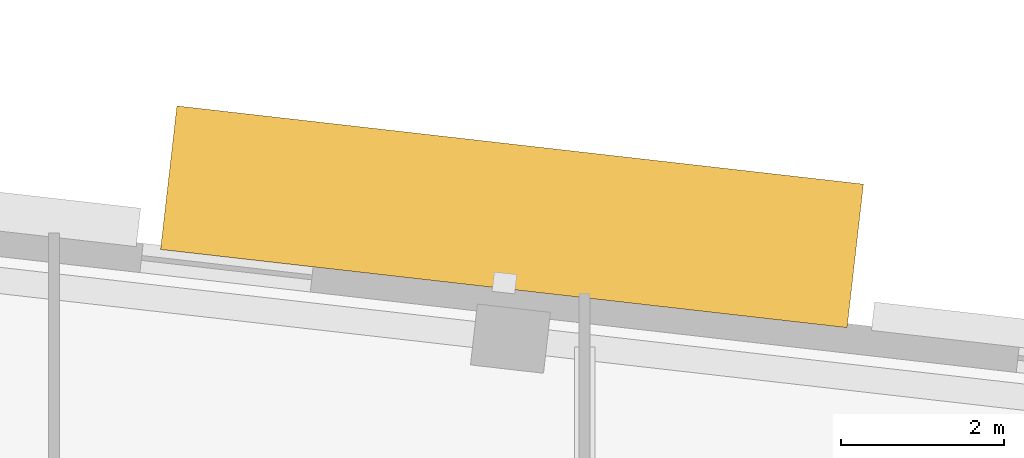
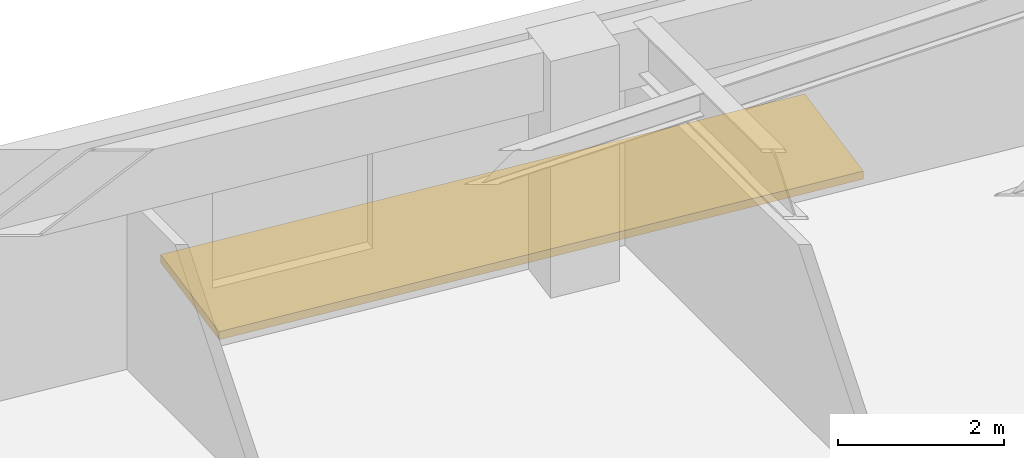
# One storey, part 14 of 14: 1 shading device.
"""IFC4 building model written with IfcOpenShell, lengths in metres."""

from ifc_helpers import new_model, si_unit, direction, frame, origin, origin_2d, place, context, subcontext, project, spatial, rectangle, extrude, material, type_object, element, save


model = new_model("IFC4")

# Units and contexts
model_context = context("Model", 3, precision=1e-05, world=origin(), true_north=direction((0.0, 1.0)))
body_context = subcontext(model_context, "Body", "Model", "MODEL_VIEW")
ifc_project = project(units=[si_unit("LENGTHUNIT", "METRE"), si_unit("AREAUNIT", "SQUARE_METRE"), si_unit("VOLUMEUNIT", "CUBIC_METRE"), si_unit("PLANEANGLEUNIT", "RADIAN"), si_unit("MASSUNIT", "GRAM", prefix="KILO")], contexts=[model_context])

# Site, building, storey
site_placement = place(None, origin())
site = spatial("IfcSite", under=ifc_project, at=site_placement, CompositionType="ELEMENT")
building_placement = place(site_placement, origin())
building = spatial("IfcBuilding", under=site, at=building_placement, Name="Kolvaren Arena Tower", CompositionType="ELEMENT")
storey_placement = place(building_placement, frame((0.0, 0.0, 224.699951171875)))
storey = spatial("IfcBuildingStorey", under=building, at=storey_placement, Name="L54", CompositionType="ELEMENT", Elevation=224.699951171875)

# Shading device
ifc_material = material(Name="Architectural precast GFRC and anodised aluminium sunshade", Category="concrete")
shading_device_type = type_object("IfcShadingDeviceType", Name="SHAD-SINE-B", PredefinedType="JALOUSIE", material=ifc_material)
shading_device_placement = place(storey_placement, frame((43.109619140625, 47.950439453125, -0.139892578125), z_axis=(0.0, 0.0, 1.0), x_axis=(0.993571658098, -0.113204947878, 0.0)))
element("IfcShadingDevice", 1, at=shading_device_placement, inside=storey, type_object=shading_device_type, Name="Sinusoidal Slab-Edge Sunshade Louvre (L54)", PredefinedType="JALOUSIE", context=body_context, shape_type="SweptSolid", body=[
    extrude(rectangle(XDim=8.4599609375, YDim=1.768798828125, at=origin_2d()), origin(), (0.0, 0.0, 1.0), 0.1201171875),
])

save(model, "model.ifc")
